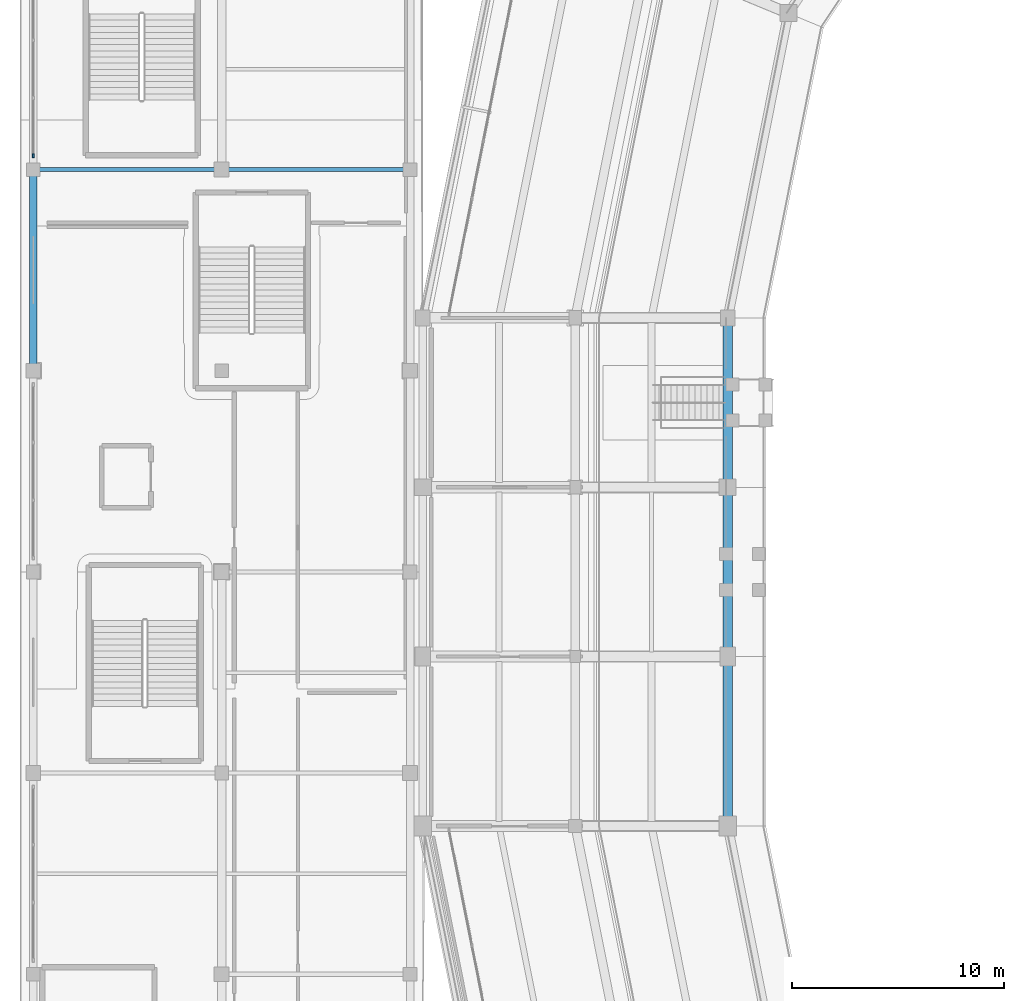
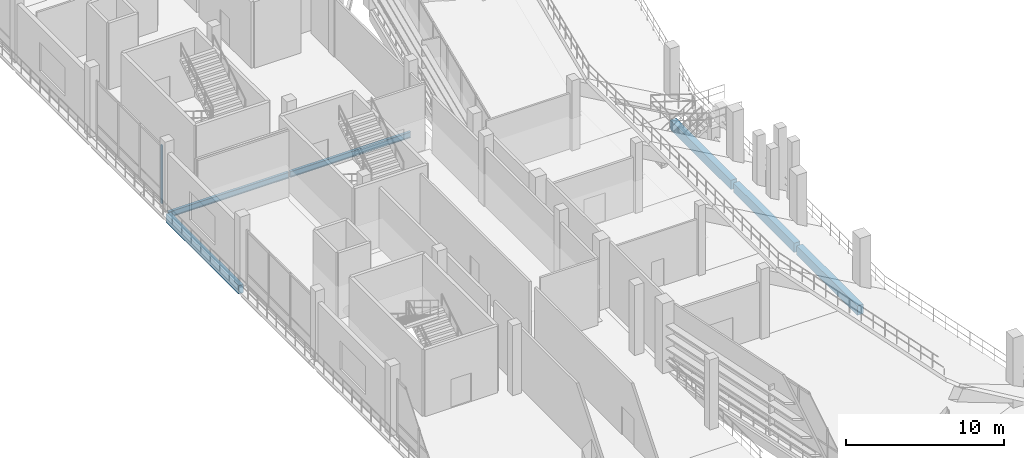
# One storey, part 28 of 127: 6 beams, 1 member, 1 element without a shape of its own.
"""IFC4 building model written with IfcOpenShell, lengths in metres."""

from ifc_helpers import new_model, si_unit, direction, frame, origin, origin_2d, place, context, subcontext, project, spatial, rectangle, i_section, extrude, material, material_profile, profile_set, type_object, element, aggregate, save


model = new_model("IFC4")

# Units and contexts
model_context = context("Model", 3, precision=1e-05, world=origin(), true_north=direction((0.0, 1.0)))
body_context = subcontext(model_context, "Body", "Model", "MODEL_VIEW")
ifc_project = project(units=[si_unit("LENGTHUNIT", "METRE"), si_unit("AREAUNIT", "SQUARE_METRE"), si_unit("VOLUMEUNIT", "CUBIC_METRE"), si_unit("PLANEANGLEUNIT", "RADIAN"), si_unit("MASSUNIT", "GRAM", prefix="KILO")], contexts=[model_context])

# Site, building, storey
site_placement = place(None, origin())
site = spatial("IfcSite", under=ifc_project, at=site_placement, CompositionType="ELEMENT")
building_placement = place(site_placement, origin())
building = spatial("IfcBuilding", under=site, at=building_placement, Name="Candeia Ridge Stadium", CompositionType="ELEMENT")
storey_placement = place(building_placement, frame((0.0, 0.0, 10.800048828125)))
storey = spatial("IfcBuildingStorey", under=building, at=storey_placement, Name="L02", CompositionType="ELEMENT", Elevation=10.800048828125)

# Curtain wall, member
ifc_material_1 = material(Name="Aluminium Anodized Warm Bronze", Category="aluminium")
curtain_wall_type = type_object("IfcCurtainWallType", Name="Cardinal Entrance Gate Tall Glazed Curtain Wall", PredefinedType="NOTDEFINED", material=ifc_material_1)
curtain_wall_placement = place(storey_placement, origin())
curtain_wall = element("IfcCurtainWall", 1, at=curtain_wall_placement, inside=storey, type_object=curtain_wall_type, Name="Unitised curtain wall CW-WNG-L02-085", PredefinedType="NOTDEFINED")
ifc_material_profile_1 = material_profile(ifc_material_1, rectangle(XDim=0.090087890625, YDim=0.179931640625, at=origin_2d()), Name="CWM-90x180", Category="aluminium")
ifc_profile_set_1 = profile_set([ifc_material_profile_1], Name="Aluminium Anodized Warm Bronze")
member_type = type_object("IfcMemberType", Name="Curtain Wall Primary Mullion 90x180", PredefinedType="MULLION", material=ifc_profile_set_1)
member_placement = place(storey_placement, frame((0.60009765625, 102.659912109375, 0.0), z_axis=(0.0, 0.0, 1.0), x_axis=(1.0, 0.0, 0.0)))
member = element("IfcMember", 2, at=member_placement, type_object=member_type, Name="Curtain wall mullion CW-WNG-L02-085-M0", PredefinedType="MULLION", context=body_context, shape_type="SweptSolid", body=[
    extrude(rectangle(XDim=0.090087890625, YDim=0.179931640625, at=origin_2d()), origin(), (0.0, 0.0, 1.0), 4.48486328125),
])
aggregate(curtain_wall, [member])

# Beams
ifc_material_2 = material(Name="Concrete C40/50", Category="concrete")
ifc_material_profile_2 = material_profile(ifc_material_2, rectangle(XDim=0.43994140625, YDim=0.719970703125, at=origin_2d()), Name="RC440x720", Category="concrete")
ifc_profile_set_2 = profile_set([ifc_material_profile_2], Name="Concrete C40/50")
beam_type_1 = type_object("IfcBeamType", Name="Frame Girder RC440x720", PredefinedType="BEAM", material=ifc_profile_set_2)
for number, where, z_axis, x_axis, name in (
    (3, (33.39990234375, 94.840087890625, -0.6201171875), (0.0, -1.0, 0.0), (1.0, 0.0, 0.0), "Bowl inner ring girder BM-L02-0363"),
    (4, (33.39990234375, 86.840087890625, -0.6201171875), (0.0, -1.0, 0.0), (1.0, 0.0, 0.0), "Bowl inner ring girder BM-L02-0368"),
    (5, (33.39990234375, 78.840087890625, -0.6201171875), (0.0, -1.0, 0.0), (1.0, 0.0, 0.0), "Bowl inner ring girder BM-L02-0373"),
):
    element("IfcBeam", number, at=place(storey_placement, frame(where, z_axis=z_axis, x_axis=x_axis)), inside=storey, type_object=beam_type_1, Name=name, PredefinedType="BEAM", context=body_context, shape_type="SweptSolid", body=[
        extrude(rectangle(XDim=0.43994140625, YDim=0.719970703125, at=origin_2d()), origin(), (0.0, 0.0, 1.0), 7.68017578125),
    ])
ifc_material_3 = material(Name="Steel ASTM A572 Grade 50", Category="steel")
ifc_material_profile_3 = material_profile(ifc_material_3, i_section(OverallWidth=0.18994140625, OverallDepth=0.45703125, WebThickness=0.009033203125, FlangeThickness=0.014404296875, FilletRadius=0.012939453125, at=origin_2d()), Name="W460x74", Category="steel")
ifc_profile_set_3 = profile_set([ifc_material_profile_3], Name="Steel ASTM A572 Grade 50")
beam_type_2 = type_object("IfcBeamType", Name="Pavilion Steel Girder W460x74", PredefinedType="BEAM", material=ifc_profile_set_3)
for number, where, z_axis, x_axis, name in (
    (6, (0.64990234375, 102.0, -0.488525390625), (1.0, 0.0, 0.0), (0.0, 1.0, 0.0), "Structural girder BM-L02-1161"),
    (7, (9.550048828125, 102.0, -0.488525390625), (1.0, 0.0, 0.0), (0.0, 1.0, 0.0), "Structural girder BM-L02-1183"),
):
    element("IfcBeam", number, at=place(storey_placement, frame(where, z_axis=z_axis, x_axis=x_axis)), inside=storey, type_object=beam_type_2, Name=name, PredefinedType="BEAM", context=body_context, shape_type="SweptSolid", body=[
        extrude(i_section(OverallWidth=0.18994140625, OverallDepth=0.45703125, WebThickness=0.009033203125, FlangeThickness=0.014404296875, FilletRadius=0.012939453125, at=origin_2d()), origin(), (0.0, 0.0, 1.0), 8.800048828125),
    ])
ifc_material_profile_4 = material_profile(ifc_material_2, rectangle(XDim=0.35009765625, YDim=0.64990234375, at=origin_2d()), Name="RC350x650", Category="concrete")
ifc_profile_set_4 = profile_set([ifc_material_profile_4], Name="Concrete C40/50")
beam_type_3 = type_object("IfcBeamType", Name="Spandrel Beam RC350x650", PredefinedType="SPANDREL", material=ifc_profile_set_4)
beam_placement = place(storey_placement, frame((0.60009765625, 92.659912109375, -0.5849609375), z_axis=(0.0, 1.0, 0.0), x_axis=(-1.0, 0.0, 0.0)))
element("IfcBeam", 8, at=beam_placement, inside=storey, type_object=beam_type_3, Name="Structural girder BM-L02-1121", PredefinedType="SPANDREL", context=body_context, shape_type="SweptSolid", body=[
    extrude(rectangle(XDim=0.35009765625, YDim=0.64990234375, at=origin_2d()), origin(), (0.0, 0.0, 1.0), 9.18017578125),
])

save(model, "model.ifc")
